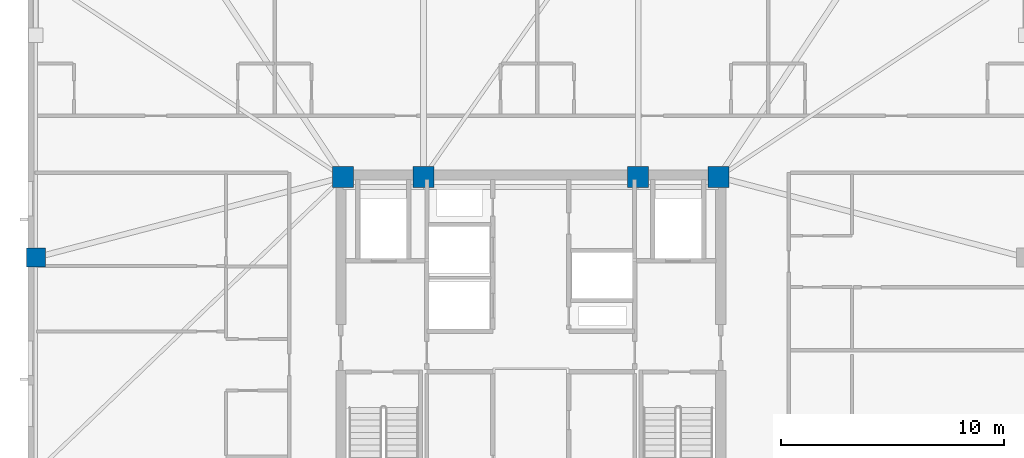
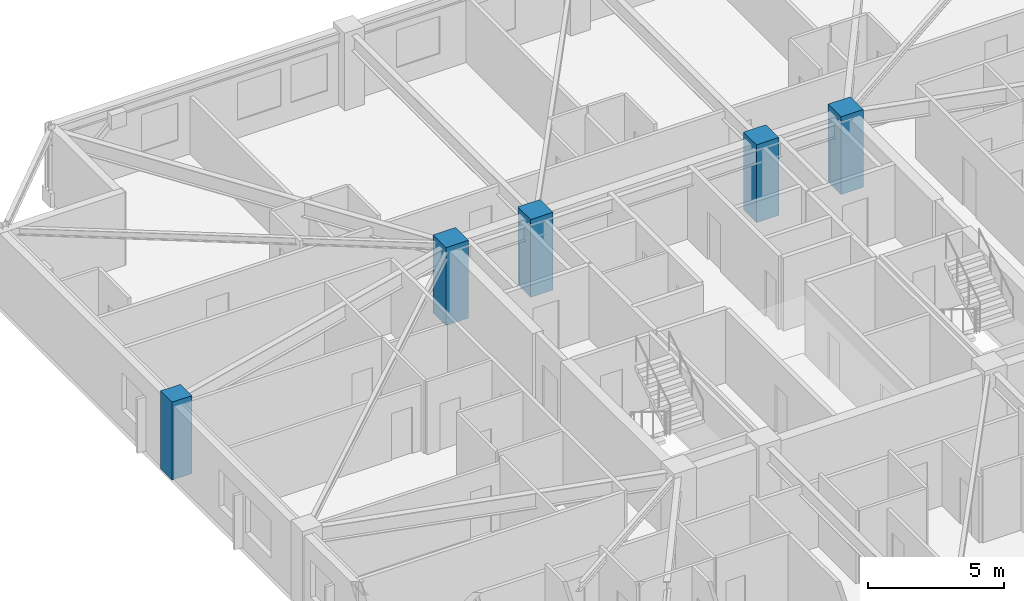
# One storey, part 2 of 17: 5 columns.
"""IFC4 building model written with IfcOpenShell, lengths in metres."""

from ifc_helpers import new_model, si_unit, direction, frame, origin, origin_2d, place, context, subcontext, project, spatial, rectangle, extrude, material, material_profile, profile_set, type_object, element, save


model = new_model("IFC4")

# Units and contexts
model_context = context("Model", 3, precision=1e-05, world=origin(), true_north=direction((0.0, 1.0)))
body_context = subcontext(model_context, "Body", "Model", "MODEL_VIEW")
ifc_project = project(units=[si_unit("LENGTHUNIT", "METRE"), si_unit("AREAUNIT", "SQUARE_METRE"), si_unit("VOLUMEUNIT", "CUBIC_METRE"), si_unit("PLANEANGLEUNIT", "RADIAN"), si_unit("MASSUNIT", "GRAM", prefix="KILO")], contexts=[model_context])

# Site, building, storey
site_placement = place(None, origin())
site = spatial("IfcSite", under=ifc_project, at=site_placement, CompositionType="ELEMENT")
building_placement = place(site_placement, origin())
building = spatial("IfcBuilding", under=site, at=building_placement, Name="Cairnveth Concourse Tower", CompositionType="ELEMENT")
storey_placement = place(building_placement, frame((0.0, 0.0, 262.0)))
storey = spatial("IfcBuildingStorey", under=building, at=storey_placement, Name="L72", CompositionType="ELEMENT", Elevation=262.0)

# Columns
ifc_material = material(Name="Concrete N65 (65 MPa)", Category="concrete")
ifc_material_profile_1 = material_profile(ifc_material, rectangle(XDim=0.949951171875, YDim=0.949951171875, at=origin_2d()), Name="RC-COL-950x950")
ifc_profile_set_1 = profile_set([ifc_material_profile_1], Name="Concrete N65 (65 MPa)")
column_type_1 = type_object("IfcColumnType", Name="CORE COLUMN 950X950", PredefinedType="COLUMN", material=ifc_profile_set_1)
for number, where, z_axis, x_axis, name in (
    (1, (43.60009765625, 47.39990234375, 0.0), (0.0, 0.0, 1.0), (1.0, 0.0, 0.0), "Column CC5 L72"),
    (2, (47.199951171875, 47.39990234375, 0.0), (0.0, 0.0, 1.0), (1.0, 0.0, 0.0), "Column CC6 L72"),
    (3, (56.800048828125, 47.39990234375, 0.0), (0.0, 0.0, 1.0), (1.0, 0.0, 0.0), "Column CC7 L72"),
    (4, (60.39990234375, 47.39990234375, 0.0), (0.0, 0.0, 1.0), (1.0, 0.0, 0.0), "Column CC8 L72"),
):
    element("IfcColumn", number, at=place(storey_placement, frame(where, z_axis=z_axis, x_axis=x_axis)), inside=storey, type_object=column_type_1, Name=name, PredefinedType="COLUMN", context=body_context, shape_type="SweptSolid", body=[
        extrude(rectangle(XDim=0.949951171875, YDim=0.949951171875, at=origin_2d()), origin(), (0.0, 0.0, 1.0), 3.5),
    ])
ifc_material_profile_2 = material_profile(ifc_material, rectangle(XDim=0.85009765625, YDim=0.85009765625, at=origin_2d()), Name="RC-COL-850x850")
ifc_profile_set_2 = profile_set([ifc_material_profile_2], Name="Concrete N65 (65 MPa)")
column_type_2 = type_object("IfcColumnType", Name="PERIMETER PIER COLUMN 850X850", PredefinedType="COLUMN", material=ifc_profile_set_2)
column_placement = place(storey_placement, frame((29.85009765625, 43.800048828125, 0.0), z_axis=(0.0, 0.0, 1.0), x_axis=(0.0, 1.0, 0.0)))
element("IfcColumn", 5, at=column_placement, inside=storey, type_object=column_type_2, Name="Column P-W2 L72", PredefinedType="COLUMN", context=body_context, shape_type="SweptSolid", body=[
    extrude(rectangle(XDim=0.85009765625, YDim=0.85009765625, at=origin_2d()), origin(), (0.0, 0.0, 1.0), 3.5),
])

save(model, "model.ifc")
